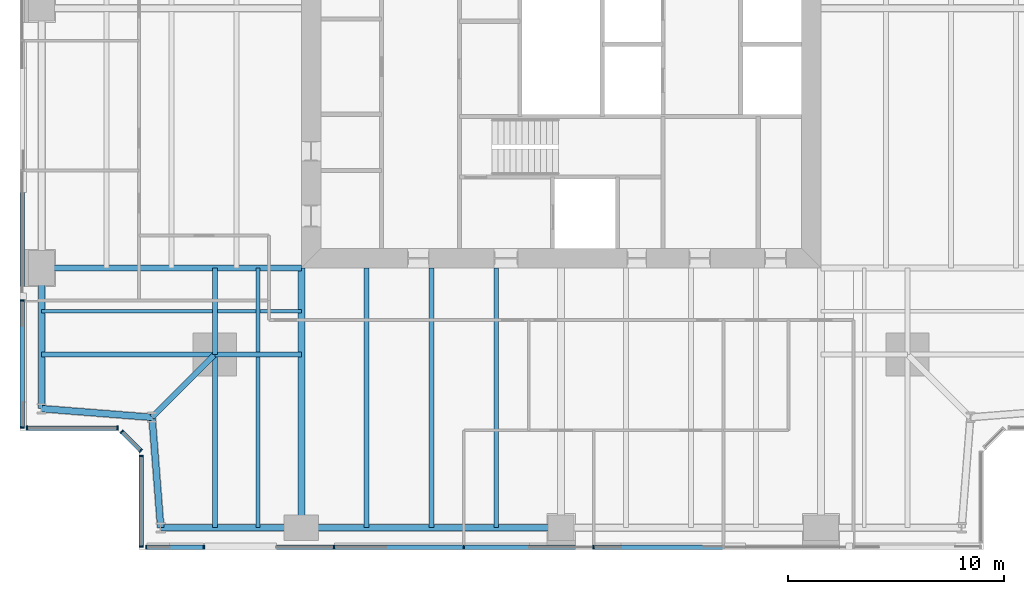
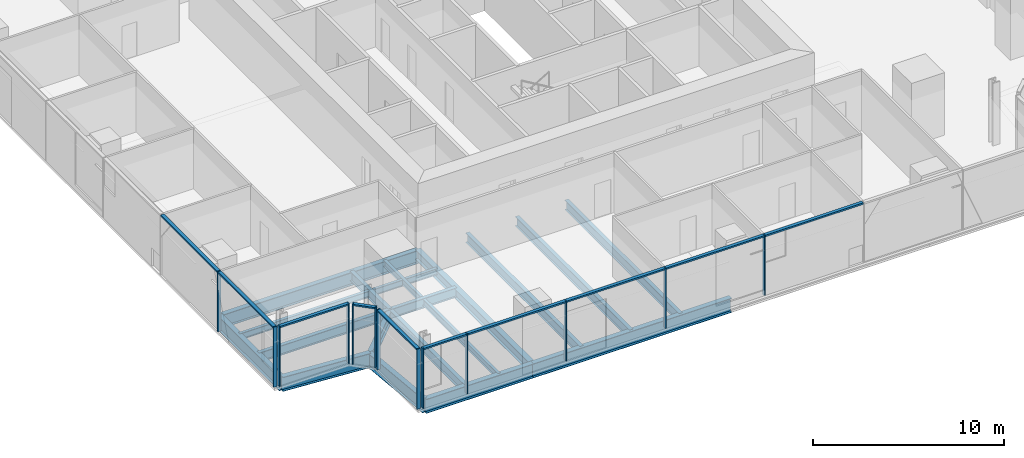
# One storey, part 2 of 14: 23 members, 20 beams, 5 elements without a shape of their own.
"""IFC4 building model written with IfcOpenShell, lengths in metres."""

from ifc_helpers import new_model, si_unit, direction, frame, origin, origin_2d, place, context, subcontext, project, spatial, rectangle, i_section, extrude, material, material_profile, profile_set, type_object, element, aggregate, save


model = new_model("IFC4")

# Units and contexts
model_context = context("Model", 3, precision=1e-05, world=origin(), true_north=direction((0.0, 1.0)))
body_context = subcontext(model_context, "Body", "Model", "MODEL_VIEW")
ifc_project = project(units=[si_unit("LENGTHUNIT", "METRE"), si_unit("AREAUNIT", "SQUARE_METRE"), si_unit("VOLUMEUNIT", "CUBIC_METRE"), si_unit("PLANEANGLEUNIT", "RADIAN"), si_unit("MASSUNIT", "GRAM", prefix="KILO")], contexts=[model_context])

# Site, building, storey
site_placement = place(None, origin())
site = spatial("IfcSite", under=ifc_project, at=site_placement, CompositionType="ELEMENT")
building_placement = place(site_placement, origin())
building = spatial("IfcBuilding", under=site, at=building_placement, Name="Fenwick Lantern Interchange", CompositionType="ELEMENT")
storey_placement = place(building_placement, frame((0.0, 0.0, 189.800048828125)))
storey = spatial("IfcBuildingStorey", under=building, at=storey_placement, Name="L44", CompositionType="ELEMENT", Elevation=189.800048828125)

# Beams
ifc_material_1 = material(Name="Steel ASTM A992 Grade 50", Category="steel")
ifc_material_profile_1 = material_profile(ifc_material_1, i_section(OverallWidth=0.3046875, OverallDepth=0.911865234375, WebThickness=0.015869140625, FlangeThickness=0.02392578125, at=origin_2d()), Name="W36X150")
ifc_profile_set_1 = profile_set([ifc_material_profile_1], Name="Steel ASTM A992 Grade 50")
beam_type_1 = type_object("IfcBeamType", Name="EDGE BEAM W36X150", PredefinedType="SPANDREL", material=ifc_profile_set_1)
beam_1_placement = place(storey_placement, frame((6.5, 1.0, -0.60595703125), z_axis=(1.0, 0.0, 0.0), x_axis=(0.0, 1.0, 0.0)))
element("IfcBeam", 1, at=beam_1_placement, inside=storey, type_object=beam_type_1, Name="L44/FR/S/EB1", PredefinedType="SPANDREL", context=body_context, shape_type="SweptSolid", body=[
    extrude(i_section(OverallWidth=0.3046875, OverallDepth=0.911865234375, WebThickness=0.015869140625, FlangeThickness=0.02392578125, at=origin_2d()), origin(), (0.0, 0.0, 1.0), 6.5),
])
beam_2_placement = place(storey_placement, frame((13.0, 1.0, -0.60595703125), z_axis=(1.0, 0.0, 0.0), x_axis=(0.0, 1.0, 0.0)))
element("IfcBeam", 2, at=beam_2_placement, inside=storey, type_object=beam_type_1, Name="L44/FR/S/EB2", PredefinedType="SPANDREL", context=body_context, shape_type="SweptSolid", body=[
    extrude(i_section(OverallWidth=0.3046875, OverallDepth=0.911865234375, WebThickness=0.015869140625, FlangeThickness=0.02392578125, at=origin_2d()), origin(), (0.0, 0.0, 1.0), 12.0),
])
beam_3_placement = place(storey_placement, frame((1.0, 13.0, -0.60595703125), z_axis=(0.0, -1.0, 0.0), x_axis=(1.0, 0.0, 0.0)))
element("IfcBeam", 3, at=beam_3_placement, inside=storey, type_object=beam_type_1, Name="L44/FR/W/EB4", PredefinedType="SPANDREL", context=body_context, shape_type="SweptSolid", body=[
    extrude(i_section(OverallWidth=0.3046875, OverallDepth=0.911865234375, WebThickness=0.015869140625, FlangeThickness=0.02392578125, at=origin_2d()), origin(), (0.0, 0.0, 1.0), 6.5),
])
for number, where, z_axis, x_axis, name in (
    (4, (1.0, 6.5, -0.60595703125), (0.99693998236, -0.078170784639, 0.0), (0.078170784639, 0.99693998236, 0.0), "L44/FR/W/EBR1"),
    (5, (6.10009765625, 6.10009765625, -0.60595703125), (0.078170784639, -0.99693998236, 0.0), (0.99693998236, 0.078170784639, 0.0), "L44/FR/W/EBR2"),
):
    element("IfcBeam", number, at=place(storey_placement, frame(where, z_axis=z_axis, x_axis=x_axis)), inside=storey, type_object=beam_type_1, Name=name, PredefinedType="SPANDREL", context=body_context, shape_type="SweptSolid", body=[
        extrude(i_section(OverallWidth=0.3046875, OverallDepth=0.911865234375, WebThickness=0.015869140625, FlangeThickness=0.02392578125, at=origin_2d()), origin(), (0.0, 0.0, 1.0), 5.11572265625),
    ])
ifc_material_profile_2 = material_profile(ifc_material_1, i_section(OverallWidth=0.22900390625, OverallDepth=0.612060546875, WebThickness=0.011962890625, FlangeThickness=0.01953125, at=origin_2d()), Name="W24X84")
ifc_profile_set_2 = profile_set([ifc_material_profile_2], Name="Steel ASTM A992 Grade 50")
beam_type_2 = type_object("IfcBeamType", Name="FLOOR BEAM W24X84", PredefinedType="BEAM", material=ifc_profile_set_2)
for number, where, z_axis, x_axis, name in (
    (6, (16.0, 1.0, -0.4560546875), (0.0, 1.0, 0.0), (-1.0, 0.0, 0.0), "L44/FR/S/R02"),
    (7, (19.0, 1.0, -0.4560546875), (0.0, 1.0, 0.0), (-1.0, 0.0, 0.0), "L44/FR/S/R03"),
    (8, (22.0, 1.0, -0.4560546875), (0.0, 1.0, 0.0), (-1.0, 0.0, 0.0), "L44/FR/S/R04"),
):
    element("IfcBeam", number, at=place(storey_placement, frame(where, z_axis=z_axis, x_axis=x_axis)), inside=storey, type_object=beam_type_2, Name=name, PredefinedType="BEAM", context=body_context, shape_type="SweptSolid", body=[
        extrude(i_section(OverallWidth=0.22900390625, OverallDepth=0.612060546875, WebThickness=0.011962890625, FlangeThickness=0.01953125, at=origin_2d()), origin(), (0.0, 0.0, 1.0), 12.0),
    ])
ifc_material_profile_3 = material_profile(ifc_material_1, i_section(OverallWidth=0.177734375, OverallDepth=0.406494140625, WebThickness=0.0078125, FlangeThickness=0.012939453125, at=origin_2d()), Name="W16X40")
ifc_profile_set_3 = profile_set([ifc_material_profile_3], Name="Steel ASTM A992 Grade 50")
beam_type_3 = type_object("IfcBeamType", Name="INFILL BEAM W16X40", PredefinedType="JOIST", material=ifc_profile_set_3)
beam_4_placement = place(storey_placement, frame((11.0, 1.0, -0.353271484375), z_axis=(0.0, 1.0, 0.0), x_axis=(-1.0, 0.0, 0.0)))
element("IfcBeam", 9, at=beam_4_placement, inside=storey, type_object=beam_type_3, Name="L44/FR/S/J1", PredefinedType="JOIST", context=body_context, shape_type="SweptSolid", body=[
    extrude(i_section(OverallWidth=0.177734375, OverallDepth=0.406494140625, WebThickness=0.0078125, FlangeThickness=0.012939453125, at=origin_2d()), origin(), (0.0, 0.0, 1.0), 7.885498046875),
])
beam_5_placement = place(storey_placement, frame((11.0, 9.114501953125, -0.353271484375), z_axis=(0.0, 1.0, 0.0), x_axis=(-1.0, 0.0, 0.0)))
element("IfcBeam", 10, at=beam_5_placement, inside=storey, type_object=beam_type_3, Name="L44/FR/S/J2", PredefinedType="JOIST", context=body_context, shape_type="SweptSolid", body=[
    extrude(i_section(OverallWidth=0.177734375, OverallDepth=0.406494140625, WebThickness=0.0078125, FlangeThickness=0.012939453125, at=origin_2d()), origin(), (0.0, 0.0, 1.0), 3.885498046875),
])
beam_6_placement = place(storey_placement, frame((1.0, 11.0, -0.353271484375), z_axis=(1.0, 0.0, 0.0), x_axis=(0.0, 1.0, 0.0)))
element("IfcBeam", 11, at=beam_6_placement, inside=storey, type_object=beam_type_3, Name="L44/FR/S/J3", PredefinedType="JOIST", context=body_context, shape_type="SweptSolid", body=[
    extrude(i_section(OverallWidth=0.177734375, OverallDepth=0.406494140625, WebThickness=0.0078125, FlangeThickness=0.012939453125, at=origin_2d()), origin(), (0.0, 0.0, 1.0), 7.885498046875),
])
beam_7_placement = place(storey_placement, frame((9.114501953125, 11.0, -0.353271484375), z_axis=(1.0, 0.0, 0.0), x_axis=(0.0, 1.0, 0.0)))
element("IfcBeam", 12, at=beam_7_placement, inside=storey, type_object=beam_type_3, Name="L44/FR/S/J4", PredefinedType="JOIST", context=body_context, shape_type="SweptSolid", body=[
    extrude(i_section(OverallWidth=0.177734375, OverallDepth=0.406494140625, WebThickness=0.0078125, FlangeThickness=0.012939453125, at=origin_2d()), origin(), (0.0, 0.0, 1.0), 1.796630859375),
])
beam_8_placement = place(storey_placement, frame((11.0888671875, 11.0, -0.353271484375), z_axis=(1.0, 0.0, 0.0), x_axis=(0.0, 1.0, 0.0)))
element("IfcBeam", 13, at=beam_8_placement, inside=storey, type_object=beam_type_3, Name="L44/FR/S/J5", PredefinedType="JOIST", context=body_context, shape_type="SweptSolid", body=[
    extrude(i_section(OverallWidth=0.177734375, OverallDepth=0.406494140625, WebThickness=0.0078125, FlangeThickness=0.012939453125, at=origin_2d()), origin(), (0.0, 0.0, 1.0), 1.9111328125),
])
ifc_material_profile_4 = material_profile(ifc_material_1, i_section(OverallWidth=0.22900390625, OverallDepth=0.612060546875, WebThickness=0.011962890625, FlangeThickness=0.01953125, at=origin_2d()), Name="W24X84")
ifc_profile_set_4 = profile_set([ifc_material_profile_4], Name="Steel ASTM A992 Grade 50")
beam_type_4 = type_object("IfcBeamType", Name="MEGA COLUMN BEAM W24X84", PredefinedType="BEAM", material=ifc_profile_set_4)
for number, where, z_axis, x_axis, name in (
    (14, (9.0, 9.0, -0.4560546875), (0.0, -1.0, 0.0), (1.0, 0.0, 0.0), "L44/FR/S/MB1"),
    (15, (9.0, 9.0, -0.4560546875), (-1.0, 0.0, 0.0), (0.0, -1.0, 0.0), "L44/FR/S/MB2"),
):
    element("IfcBeam", number, at=place(storey_placement, frame(where, z_axis=z_axis, x_axis=x_axis)), inside=storey, type_object=beam_type_4, Name=name, PredefinedType="BEAM", context=body_context, shape_type="SweptSolid", body=[
        extrude(i_section(OverallWidth=0.22900390625, OverallDepth=0.612060546875, WebThickness=0.011962890625, FlangeThickness=0.01953125, at=origin_2d()), origin(), (0.0, 0.0, 1.0), 8.0),
    ])
for number, where, z_axis, x_axis, name in (
    (16, (9.0, 9.0, -0.4560546875), (1.0, 0.0, 0.0), (0.0, 1.0, 0.0), "L44/FR/S/MB3"),
    (17, (9.0, 9.0, -0.4560546875), (0.0, 1.0, 0.0), (-1.0, 0.0, 0.0), "L44/FR/S/MB4"),
):
    element("IfcBeam", number, at=place(storey_placement, frame(where, z_axis=z_axis, x_axis=x_axis)), inside=storey, type_object=beam_type_4, Name=name, PredefinedType="BEAM", context=body_context, shape_type="SweptSolid", body=[
        extrude(i_section(OverallWidth=0.22900390625, OverallDepth=0.612060546875, WebThickness=0.011962890625, FlangeThickness=0.01953125, at=origin_2d()), origin(), (0.0, 0.0, 1.0), 4.0),
    ])
ifc_material_profile_5 = material_profile(ifc_material_1, i_section(OverallWidth=0.32763671875, OverallDepth=0.622314453125, WebThickness=0.015380859375, FlangeThickness=0.0244140625, at=origin_2d()), Name="W24X131")
ifc_profile_set_5 = profile_set([ifc_material_profile_5], Name="Steel ASTM A992 Grade 50")
beam_type_5 = type_object("IfcBeamType", Name="MOMENT-CONNECTED GIRDER W24X131", PredefinedType="BEAM", material=ifc_profile_set_5)
beam_9_placement = place(storey_placement, frame((13.0, 1.0, -0.461181640625), z_axis=(0.0, 1.0, 0.0), x_axis=(-1.0, 0.0, 0.0)))
element("IfcBeam", 18, at=beam_9_placement, inside=storey, type_object=beam_type_5, Name="L44/FR/S/R01", PredefinedType="BEAM", context=body_context, shape_type="SweptSolid", body=[
    extrude(i_section(OverallWidth=0.32763671875, OverallDepth=0.622314453125, WebThickness=0.015380859375, FlangeThickness=0.0244140625, at=origin_2d()), origin(), (0.0, 0.0, 1.0), 12.0),
])
ifc_material_profile_6 = material_profile(ifc_material_1, i_section(OverallWidth=0.2919921875, OverallDepth=0.845703125, WebThickness=0.015380859375, FlangeThickness=0.0244140625, at=origin_2d()), Name="W33X141")
ifc_profile_set_6 = profile_set([ifc_material_profile_6], Name="Steel ASTM A992 Grade 50")
beam_type_6 = type_object("IfcBeamType", Name="MOMENT-CONNECTED GIRDER W33X141", PredefinedType="BEAM", material=ifc_profile_set_6)
beam_10_placement = place(storey_placement, frame((1.0, 13.0, -0.572998046875), z_axis=(1.0, 0.0, 0.0), x_axis=(0.0, 1.0, 0.0)))
element("IfcBeam", 19, at=beam_10_placement, inside=storey, type_object=beam_type_6, Name="L44/FR/W/R03", PredefinedType="BEAM", context=body_context, shape_type="SweptSolid", body=[
    extrude(i_section(OverallWidth=0.2919921875, OverallDepth=0.845703125, WebThickness=0.015380859375, FlangeThickness=0.0244140625, at=origin_2d()), origin(), (0.0, 0.0, 1.0), 12.0),
])
ifc_material_profile_7 = material_profile(ifc_material_1, i_section(OverallWidth=0.2666015625, OverallDepth=0.7568359375, WebThickness=0.013916015625, FlangeThickness=0.019287109375, at=origin_2d()), Name="W30X108")
ifc_profile_set_7 = profile_set([ifc_material_profile_7], Name="Steel ASTM A992 Grade 50")
beam_type_7 = type_object("IfcBeamType", Name="NOTCH BEAM W30X108", PredefinedType="BEAM", material=ifc_profile_set_7)
beam_11_placement = place(storey_placement, frame((9.0, 9.0, -0.528564453125), z_axis=(-0.707106781187, -0.707106781187, 0.0), x_axis=(0.707106781187, -0.707106781187, 0.0)))
element("IfcBeam", 20, at=beam_11_placement, inside=storey, type_object=beam_type_7, Name="L44/FR/S/TG", PredefinedType="BEAM", context=body_context, shape_type="SweptSolid", body=[
    extrude(i_section(OverallWidth=0.2666015625, OverallDepth=0.7568359375, WebThickness=0.013916015625, FlangeThickness=0.019287109375, at=origin_2d()), origin(), (0.0, 0.0, 1.0), 4.10107421875),
])

# Curtain wall, members
ifc_material_2 = material(Name="Aluminium curtain wall frame", Category="aluminium")
curtain_wall_type = type_object("IfcCurtainWallType", Name="OFFICE CURTAIN WALL", PredefinedType="USERDEFINED", material=ifc_material_2)
curtain_wall_1_placement = place(storey_placement, origin())
curtain_wall_1 = element("IfcCurtainWall", 21, at=curtain_wall_1_placement, inside=storey, type_object=curtain_wall_type, Name="Office curtain wall 01", ObjectType="OFFICE CURTAIN WALL", PredefinedType="USERDEFINED")
ifc_material_3 = material(Name="Aluminium extrusion", Category="aluminium")
ifc_material_profile_8 = material_profile(ifc_material_3, rectangle(XDim=0.199951171875, YDim=0.06494140625, at=origin_2d()), Name="OFFICE CURTAIN WALL MULLION 65 X 200")
ifc_profile_set_8 = profile_set([ifc_material_profile_8], Name="Aluminium extrusion")
member_type_1 = type_object("IfcMemberType", Name="OFFICE CURTAIN WALL MULLION 65 X 200", PredefinedType="MULLION", material=ifc_profile_set_8)
member_1_placement = place(storey_placement, frame((5.83251953125, 0.10009765625, 0.0), z_axis=(0.0, 0.0, 1.0), x_axis=(0.0, 1.0, 0.0)))
member_1 = element("IfcMember", 22, at=member_1_placement, type_object=member_type_1, Name="L44/CW/01/M00", PredefinedType="MULLION", context=body_context, shape_type="SweptSolid", body=[
    extrude(rectangle(XDim=0.199951171875, YDim=0.06494140625, at=origin_2d()), origin(), (0.0, 0.0, 1.0), 3.849853515625),
])
member_2_placement = place(storey_placement, frame((8.5, 0.10009765625, 0.0), z_axis=(0.0, 0.0, 1.0), x_axis=(0.0, 1.0, 0.0)))
member_2 = element("IfcMember", 23, at=member_2_placement, type_object=member_type_1, Name="L44/CW/01/M01", PredefinedType="MULLION", context=body_context, shape_type="SweptSolid", body=[
    extrude(rectangle(XDim=0.199951171875, YDim=0.06494140625, at=origin_2d()), origin(), (0.0, 0.0, 1.0), 3.849853515625),
])
member_3_placement = place(storey_placement, frame((14.5, 0.10009765625, 0.0), z_axis=(0.0, 0.0, 1.0), x_axis=(0.0, 1.0, 0.0)))
member_3 = element("IfcMember", 24, at=member_3_placement, type_object=member_type_1, Name="L44/CW/01/M02", PredefinedType="MULLION", context=body_context, shape_type="SweptSolid", body=[
    extrude(rectangle(XDim=0.199951171875, YDim=0.06494140625, at=origin_2d()), origin(), (0.0, 0.0, 1.0), 3.849853515625),
])
member_4_placement = place(storey_placement, frame((20.5, 0.10009765625, 0.0), z_axis=(0.0, 0.0, 1.0), x_axis=(0.0, 1.0, 0.0)))
member_4 = element("IfcMember", 25, at=member_4_placement, type_object=member_type_1, Name="L44/CW/01/M03", PredefinedType="MULLION", context=body_context, shape_type="SweptSolid", body=[
    extrude(rectangle(XDim=0.199951171875, YDim=0.06494140625, at=origin_2d()), origin(), (0.0, 0.0, 1.0), 3.849853515625),
])
member_5_placement = place(storey_placement, frame((26.5, 0.10009765625, 0.0), z_axis=(0.0, 0.0, 1.0), x_axis=(0.0, 1.0, 0.0)))
member_5 = element("IfcMember", 26, at=member_5_placement, type_object=member_type_1, Name="L44/CW/01/M04", PredefinedType="MULLION", context=body_context, shape_type="SweptSolid", body=[
    extrude(rectangle(XDim=0.199951171875, YDim=0.06494140625, at=origin_2d()), origin(), (0.0, 0.0, 1.0), 3.849853515625),
])

curtain_wall_2_placement = place(storey_placement, origin())
curtain_wall_2 = element("IfcCurtainWall", 27, at=curtain_wall_2_placement, inside=storey, type_object=curtain_wall_type, Name="Office curtain wall 13", ObjectType="OFFICE CURTAIN WALL", PredefinedType="USERDEFINED")
member_6_placement = place(storey_placement, frame((0.10009765625, 11.5, 0.0), z_axis=(0.0, 0.0, 1.0), x_axis=(1.0, 0.0, 0.0)))
member_6 = element("IfcMember", 28, at=member_6_placement, type_object=member_type_1, Name="L44/CW/13/M06", PredefinedType="MULLION", context=body_context, shape_type="SweptSolid", body=[
    extrude(rectangle(XDim=0.199951171875, YDim=0.06494140625, at=origin_2d()), origin(), (0.0, 0.0, 1.0), 3.849853515625),
])
member_7_placement = place(storey_placement, frame((0.10009765625, 5.632568359375, 0.0), z_axis=(0.0, 0.0, 1.0), x_axis=(1.0, 0.0, 0.0)))
member_7 = element("IfcMember", 29, at=member_7_placement, type_object=member_type_1, Name="L44/CW/13/M07", PredefinedType="MULLION", context=body_context, shape_type="SweptSolid", body=[
    extrude(rectangle(XDim=0.199951171875, YDim=0.06494140625, at=origin_2d()), origin(), (0.0, 0.0, 1.0), 3.849853515625),
])

curtain_wall_3_placement = place(storey_placement, origin())
curtain_wall_3 = element("IfcCurtainWall", 30, at=curtain_wall_3_placement, inside=storey, type_object=curtain_wall_type, Name="Office curtain wall 14", ObjectType="OFFICE CURTAIN WALL", PredefinedType="USERDEFINED")
member_8_placement = place(storey_placement, frame((0.33251953125, 5.60009765625, 0.0), z_axis=(0.0, 0.0, 1.0), x_axis=(0.0, 1.0, 0.0)))
member_8 = element("IfcMember", 31, at=member_8_placement, type_object=member_type_1, Name="L44/CW/14/M00", PredefinedType="MULLION", context=body_context, shape_type="SweptSolid", body=[
    extrude(rectangle(XDim=0.199951171875, YDim=0.06494140625, at=origin_2d()), origin(), (0.0, 0.0, 1.0), 3.849853515625),
])
member_9_placement = place(storey_placement, frame((4.509033203125, 5.60009765625, 0.0), z_axis=(0.0, 0.0, 1.0), x_axis=(0.0, 1.0, 0.0)))
member_9 = element("IfcMember", 32, at=member_9_placement, type_object=member_type_1, Name="L44/CW/14/M01", PredefinedType="MULLION", context=body_context, shape_type="SweptSolid", body=[
    extrude(rectangle(XDim=0.199951171875, YDim=0.06494140625, at=origin_2d()), origin(), (0.0, 0.0, 1.0), 3.849853515625),
])

curtain_wall_4_placement = place(storey_placement, origin())
curtain_wall_4 = element("IfcCurtainWall", 33, at=curtain_wall_4_placement, inside=storey, type_object=curtain_wall_type, Name="Office curtain wall 15", ObjectType="OFFICE CURTAIN WALL", PredefinedType="USERDEFINED")
member_10_placement = place(storey_placement, frame((4.705810546875, 5.435546875, 0.0), z_axis=(0.0, 0.0, 1.0), x_axis=(0.707106781187, 0.707106781187, 0.0)))
member_10 = element("IfcMember", 34, at=member_10_placement, type_object=member_type_1, Name="L44/CW/15/M00", PredefinedType="MULLION", context=body_context, shape_type="SweptSolid", body=[
    extrude(rectangle(XDim=0.199951171875, YDim=0.06494140625, at=origin_2d()), origin(), (0.0, 0.0, 1.0), 3.849853515625),
])
member_11_placement = place(storey_placement, frame((5.576904296875, 4.564453125, 0.0), z_axis=(0.0, 0.0, 1.0), x_axis=(0.707106781187, 0.707106781187, 0.0)))
member_11 = element("IfcMember", 35, at=member_11_placement, type_object=member_type_1, Name="L44/CW/15/M01", PredefinedType="MULLION", context=body_context, shape_type="SweptSolid", body=[
    extrude(rectangle(XDim=0.199951171875, YDim=0.06494140625, at=origin_2d()), origin(), (0.0, 0.0, 1.0), 3.849853515625),
])

curtain_wall_5_placement = place(storey_placement, origin())
curtain_wall_5 = element("IfcCurtainWall", 36, at=curtain_wall_5_placement, inside=storey, type_object=curtain_wall_type, Name="Office curtain wall 16", ObjectType="OFFICE CURTAIN WALL", PredefinedType="USERDEFINED")
member_12_placement = place(storey_placement, frame((5.60009765625, 4.308837890625, 0.0), z_axis=(0.0, 0.0, 1.0), x_axis=(1.0, 0.0, 0.0)))
member_12 = element("IfcMember", 37, at=member_12_placement, type_object=member_type_1, Name="L44/CW/16/M00", PredefinedType="MULLION", context=body_context, shape_type="SweptSolid", body=[
    extrude(rectangle(XDim=0.199951171875, YDim=0.06494140625, at=origin_2d()), origin(), (0.0, 0.0, 1.0), 3.849853515625),
])
member_13_placement = place(storey_placement, frame((5.60009765625, 0.132568359375, 0.0), z_axis=(0.0, 0.0, 1.0), x_axis=(1.0, 0.0, 0.0)))
member_13 = element("IfcMember", 38, at=member_13_placement, type_object=member_type_1, Name="L44/CW/16/M01", PredefinedType="MULLION", context=body_context, shape_type="SweptSolid", body=[
    extrude(rectangle(XDim=0.199951171875, YDim=0.06494140625, at=origin_2d()), origin(), (0.0, 0.0, 1.0), 3.849853515625),
])

# Member
ifc_material_profile_9 = material_profile(ifc_material_3, rectangle(XDim=0.199951171875, YDim=0.10009765625, at=origin_2d()), Name="OFFICE CURTAIN WALL TRANSOM 100 X 200")
ifc_profile_set_9 = profile_set([ifc_material_profile_9], Name="Aluminium extrusion")
member_type_2 = type_object("IfcMemberType", Name="OFFICE CURTAIN WALL TRANSOM 100 X 200", PredefinedType="MULLION", material=ifc_profile_set_9)
member_14_placement = place(storey_placement, frame((5.864990234375, 0.10009765625, 3.800048828125), z_axis=(1.0, 0.0, 0.0), x_axis=(0.0, 1.0, 0.0)))
member_14 = element("IfcMember", 39, at=member_14_placement, type_object=member_type_2, Name="L44/CW/01/T00", PredefinedType="MULLION", context=body_context, shape_type="SweptSolid", body=[
    extrude(rectangle(XDim=0.199951171875, YDim=0.10009765625, at=origin_2d()), origin(), (0.0, 0.0, 1.0), 2.6025390625),
])

member_15_placement = place(storey_placement, frame((8.532470703125, 0.10009765625, 3.800048828125), z_axis=(1.0, 0.0, 0.0), x_axis=(0.0, 1.0, 0.0)))
member_15 = element("IfcMember", 40, at=member_15_placement, type_object=member_type_2, Name="L44/CW/01/T01", PredefinedType="MULLION", context=body_context, shape_type="SweptSolid", body=[
    extrude(rectangle(XDim=0.199951171875, YDim=0.10009765625, at=origin_2d()), origin(), (0.0, 0.0, 1.0), 5.93505859375),
])

member_16_placement = place(storey_placement, frame((14.532470703125, 0.10009765625, 3.800048828125), z_axis=(1.0, 0.0, 0.0), x_axis=(0.0, 1.0, 0.0)))
member_16 = element("IfcMember", 41, at=member_16_placement, type_object=member_type_2, Name="L44/CW/01/T02", PredefinedType="MULLION", context=body_context, shape_type="SweptSolid", body=[
    extrude(rectangle(XDim=0.199951171875, YDim=0.10009765625, at=origin_2d()), origin(), (0.0, 0.0, 1.0), 5.93505859375),
])

member_17_placement = place(storey_placement, frame((20.532470703125, 0.10009765625, 3.800048828125), z_axis=(1.0, 0.0, 0.0), x_axis=(0.0, 1.0, 0.0)))
member_17 = element("IfcMember", 42, at=member_17_placement, type_object=member_type_2, Name="L44/CW/01/T03", PredefinedType="MULLION", context=body_context, shape_type="SweptSolid", body=[
    extrude(rectangle(XDim=0.199951171875, YDim=0.10009765625, at=origin_2d()), origin(), (0.0, 0.0, 1.0), 5.93505859375),
])

member_18_placement = place(storey_placement, frame((26.532470703125, 0.10009765625, 3.800048828125), z_axis=(1.0, 0.0, 0.0), x_axis=(0.0, 1.0, 0.0)))
member_18 = element("IfcMember", 43, at=member_18_placement, type_object=member_type_2, Name="L44/CW/01/T04", PredefinedType="MULLION", context=body_context, shape_type="SweptSolid", body=[
    extrude(rectangle(XDim=0.199951171875, YDim=0.10009765625, at=origin_2d()), origin(), (0.0, 0.0, 1.0), 5.93505859375),
])

aggregate(curtain_wall_1, [member_1, member_2, member_3, member_4, member_5, member_14, member_15, member_16, member_17, member_18])

member_19_placement = place(storey_placement, frame((0.10009765625, 17.467529296875, 3.800048828125), z_axis=(0.0, -1.0, 0.0), x_axis=(1.0, 0.0, 0.0)))
member_19 = element("IfcMember", 44, at=member_19_placement, type_object=member_type_2, Name="L44/CW/13/T05", PredefinedType="MULLION", context=body_context, shape_type="SweptSolid", body=[
    extrude(rectangle(XDim=0.199951171875, YDim=0.10009765625, at=origin_2d()), origin(), (0.0, 0.0, 1.0), 5.93505859375),
])

member_20_placement = place(storey_placement, frame((0.10009765625, 11.467529296875, 3.800048828125), z_axis=(0.0, -1.0, 0.0), x_axis=(1.0, 0.0, 0.0)))
member_20 = element("IfcMember", 45, at=member_20_placement, type_object=member_type_2, Name="L44/CW/13/T06", PredefinedType="MULLION", context=body_context, shape_type="SweptSolid", body=[
    extrude(rectangle(XDim=0.199951171875, YDim=0.10009765625, at=origin_2d()), origin(), (0.0, 0.0, 1.0), 5.802490234375),
])

aggregate(curtain_wall_2, [member_6, member_7, member_19, member_20])

member_21_placement = place(storey_placement, frame((0.364990234375, 5.60009765625, 3.800048828125), z_axis=(1.0, 0.0, 0.0), x_axis=(0.0, 1.0, 0.0)))
member_21 = element("IfcMember", 46, at=member_21_placement, type_object=member_type_2, Name="L44/CW/14/T00", PredefinedType="MULLION", context=body_context, shape_type="SweptSolid", body=[
    extrude(rectangle(XDim=0.199951171875, YDim=0.10009765625, at=origin_2d()), origin(), (0.0, 0.0, 1.0), 4.111328125),
])

aggregate(curtain_wall_3, [member_8, member_9, member_21])

member_22_placement = place(storey_placement, frame((4.728759765625, 5.41259765625, 3.800048828125), z_axis=(0.707106781187, -0.707106781187, 0.0), x_axis=(0.707106781187, 0.707106781187, 0.0)))
member_22 = element("IfcMember", 47, at=member_22_placement, type_object=member_type_2, Name="L44/CW/15/T00", PredefinedType="MULLION", context=body_context, shape_type="SweptSolid", body=[
    extrude(rectangle(XDim=0.199951171875, YDim=0.10009765625, at=origin_2d()), origin(), (0.0, 0.0, 1.0), 1.1669921875),
])

aggregate(curtain_wall_4, [member_10, member_11, member_22])

member_23_placement = place(storey_placement, frame((5.60009765625, 4.2763671875, 3.800048828125), z_axis=(0.0, -1.0, 0.0), x_axis=(1.0, 0.0, 0.0)))
member_23 = element("IfcMember", 48, at=member_23_placement, type_object=member_type_2, Name="L44/CW/16/T00", PredefinedType="MULLION", context=body_context, shape_type="SweptSolid", body=[
    extrude(rectangle(XDim=0.199951171875, YDim=0.10009765625, at=origin_2d()), origin(), (0.0, 0.0, 1.0), 4.111328125),
])

aggregate(curtain_wall_5, [member_12, member_13, member_23])

save(model, "model.ifc")
